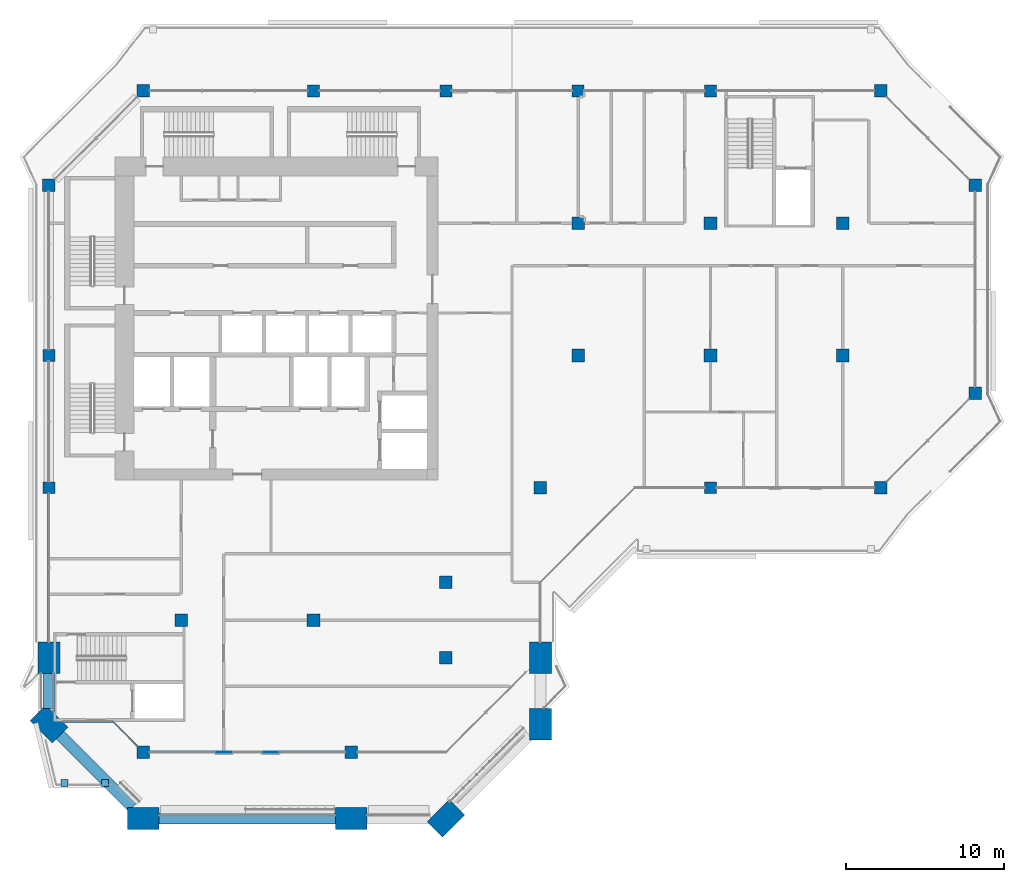
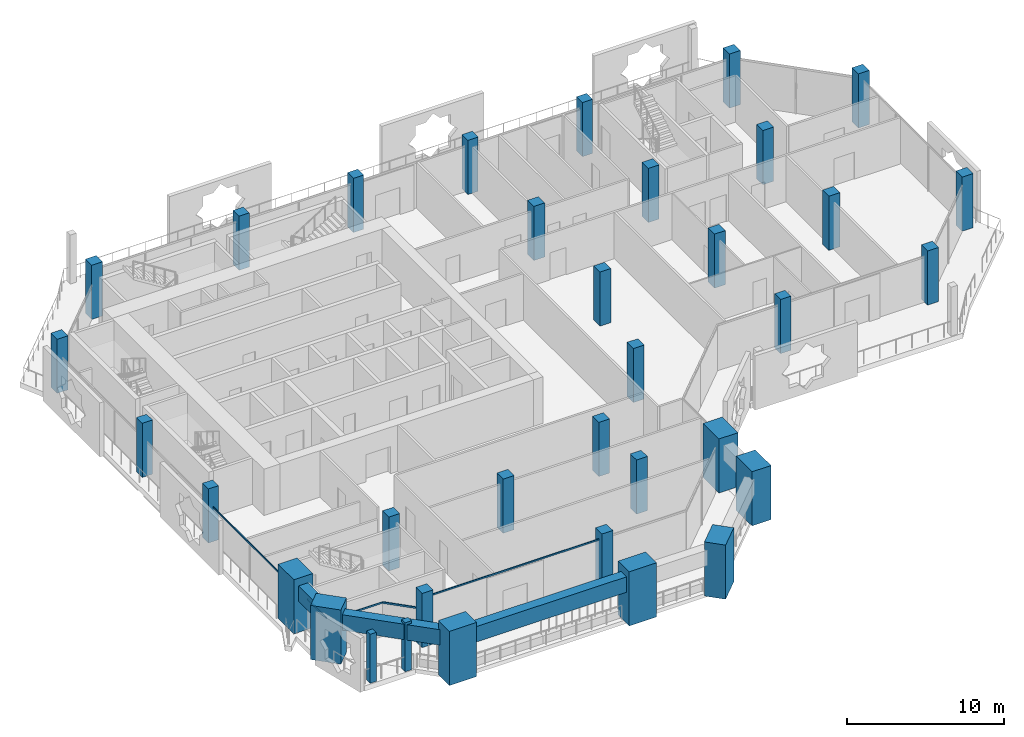
# One storey, part 1 of 20: 33 columns, 7 members, 3 beams, 6 elements without a shape of their own.
"""IFC4 building model written with IfcOpenShell, lengths in metres."""

from ifc_helpers import new_model, si_unit, direction, frame, origin, origin_2d, place, context, subcontext, project, spatial, rectangle, extrude, material, layer, layer_set, material_profile, profile_set, type_object, element, aggregate, save


model = new_model("IFC4")

# Units and contexts
model_context = context("Model", 3, precision=1e-05, world=origin(), true_north=direction((0.0, 1.0)))
body_context = subcontext(model_context, "Body", "Model", "MODEL_VIEW")
ifc_project = project(units=[si_unit("LENGTHUNIT", "METRE"), si_unit("AREAUNIT", "SQUARE_METRE"), si_unit("VOLUMEUNIT", "CUBIC_METRE"), si_unit("PLANEANGLEUNIT", "RADIAN"), si_unit("MASSUNIT", "GRAM", prefix="KILO")], contexts=[model_context])

# Site, building, storey
site_placement = place(None, origin())
site = spatial("IfcSite", under=ifc_project, at=site_placement, CompositionType="ELEMENT")
building_placement = place(site_placement, origin())
building = spatial("IfcBuilding", under=site, at=building_placement, Name="Kawkab Arch Medical Tower", CompositionType="ELEMENT")
storey_placement = place(building_placement, frame((0.0, 0.0, 290.199951171875)))
storey = spatial("IfcBuildingStorey", under=building, at=storey_placement, Name="L67", CompositionType="ELEMENT", Elevation=290.199951171875)

# Columns
ifc_material_1 = material(Name="Concrete C40/50", Category="concrete")
ifc_material_profile_1 = material_profile(ifc_material_1, rectangle(XDim=2.0, YDim=1.39990234375, at=origin_2d()), Name="RC 2000x1400")
ifc_profile_set_1 = profile_set([ifc_material_profile_1], Name="Concrete C40/50")
column_type_1 = type_object("IfcColumnType", Name="RC 2000x1400 column C40/50", PredefinedType="COLUMN", material=ifc_profile_set_1)
for number, where, z_axis, x_axis, name in (
    (1, (0.0, -36.0, 0.0), (0.0, 0.0, 1.0), (0.0, 1.0, 0.0), "Column RC 2000x1400"),
    (2, (31.199951171875, -36.0, 0.0), (0.0, 0.0, 1.0), (0.0, -1.0, 0.0), "Column RC 2000x1400"),
    (3, (31.199951171875, -40.199951171875, 0.0), (0.0, 0.0, 1.0), (0.0, -1.0, 0.0), "Column RC 2000x1400"),
    (4, (25.199951171875, -46.199951171875, 0.0), (0.0, 0.0, 1.0), (-0.707106781187, -0.707106781187, 0.0), "Column RC 2000x1400"),
    (5, (19.199951171875, -46.199951171875, 0.0), (0.0, 0.0, 1.0), (-1.0, 0.0, 0.0), "Column RC 2000x1400"),
    (6, (6.0, -46.199951171875, 0.0), (0.0, 0.0, 1.0), (-1.0, 0.0, 0.0), "Column RC 2000x1400"),
    (7, (0.0, -40.199951171875, 0.0), (0.0, 0.0, 1.0), (-0.707106781187, 0.707106781187, 0.0), "Column RC 2000x1400"),
):
    element("IfcColumn", number, at=place(storey_placement, frame(where, z_axis=z_axis, x_axis=x_axis)), inside=storey, type_object=column_type_1, Name=name, PredefinedType="COLUMN", context=body_context, shape_type="SweptSolid", body=[
        extrude(rectangle(XDim=2.0, YDim=1.39990234375, at=origin_2d()), origin(), (0.0, 0.0, 1.0), 4.199951171875),
    ])
ifc_material_2 = material(Name="Concrete C40/50", Category="concrete")
ifc_material_profile_2 = material_profile(ifc_material_2, rectangle(XDim=0.75, YDim=0.75, at=origin_2d()), Name="RC 750x750")
ifc_profile_set_2 = profile_set([ifc_material_profile_2], Name="Concrete C40/50")
column_type_2 = type_object("IfcColumnType", Name="RC 750x750 column C40/50", PredefinedType="COLUMN", material=ifc_profile_set_2)
for number, where, z_axis, x_axis, name in (
    (8, (16.800048828125, 0.0, 0.0), (0.0, 0.0, 1.0), (1.0, 0.0, 0.0), "Column RC 750x750"),
    (9, (25.199951171875, 0.0, 0.0), (0.0, 0.0, 1.0), (1.0, 0.0, 0.0), "Column RC 750x750"),
    (10, (33.60009765625, 0.0, 0.0), (0.0, 0.0, 1.0), (1.0, 0.0, 0.0), "Column RC 750x750"),
    (11, (42.0, 0.0, 0.0), (0.0, 0.0, 1.0), (1.0, 0.0, 0.0), "Column RC 750x750"),
    (12, (0.0, -16.800048828125, 0.0), (0.0, 0.0, 1.0), (1.0, 0.0, 0.0), "Column RC 750x750"),
    (13, (0.0, -25.199951171875, 0.0), (0.0, 0.0, 1.0), (1.0, 0.0, 0.0), "Column RC 750x750"),
    (14, (42.0, -25.199951171875, 0.0), (0.0, 0.0, 1.0), (1.0, 0.0, 0.0), "Column RC 750x750"),
):
    element("IfcColumn", number, at=place(storey_placement, frame(where, z_axis=z_axis, x_axis=x_axis)), inside=storey, type_object=column_type_2, Name=name, PredefinedType="COLUMN", context=body_context, shape_type="SweptSolid", body=[
        extrude(rectangle(XDim=0.75, YDim=0.75, at=origin_2d()), origin(), (0.0, 0.0, 1.0), 4.199951171875),
    ])
ifc_material_3 = material(Name="Concrete C40/50", Category="concrete")
ifc_material_profile_3 = material_profile(ifc_material_3, rectangle(XDim=0.800048828125, YDim=0.800048828125, at=origin_2d()), Name="RC 800x800")
ifc_profile_set_3 = profile_set([ifc_material_profile_3], Name="Concrete C40/50")
column_type_3 = type_object("IfcColumnType", Name="RC 800x800 column C40/50", PredefinedType="COLUMN", material=ifc_profile_set_3)
for number, where, z_axis, x_axis, name in (
    (15, (6.0, 0.0, 0.0), (0.0, 0.0, 1.0), (1.0, 0.0, 0.0), "Column RC 800x800"),
    (16, (52.800048828125, 0.0, 0.0), (0.0, 0.0, 1.0), (1.0, 0.0, 0.0), "Column RC 800x800"),
    (17, (0.0, -6.0, 0.0), (0.0, 0.0, 1.0), (1.0, 0.0, 0.0), "Column RC 800x800"),
    (18, (58.800048828125, -6.0, 0.0), (0.0, 0.0, 1.0), (1.0, 0.0, 0.0), "Column RC 800x800"),
    (19, (33.60009765625, -8.39990234375, 0.0), (0.0, 0.0, 1.0), (1.0, 0.0, 0.0), "Column RC 800x800"),
    (20, (42.0, -8.39990234375, 0.0), (0.0, 0.0, 1.0), (1.0, 0.0, 0.0), "Column RC 800x800"),
    (21, (50.39990234375, -8.39990234375, 0.0), (0.0, 0.0, 1.0), (1.0, 0.0, 0.0), "Column RC 800x800"),
    (22, (33.60009765625, -16.800048828125, 0.0), (0.0, 0.0, 1.0), (1.0, 0.0, 0.0), "Column RC 800x800"),
    (23, (42.0, -16.800048828125, 0.0), (0.0, 0.0, 1.0), (1.0, 0.0, 0.0), "Column RC 800x800"),
    (24, (50.39990234375, -16.800048828125, 0.0), (0.0, 0.0, 1.0), (1.0, 0.0, 0.0), "Column RC 800x800"),
    (25, (58.800048828125, -19.199951171875, 0.0), (0.0, 0.0, 1.0), (1.0, 0.0, 0.0), "Column RC 800x800"),
    (26, (31.199951171875, -25.199951171875, 0.0), (0.0, 0.0, 1.0), (1.0, 0.0, 0.0), "Column RC 800x800"),
    (27, (52.800048828125, -25.199951171875, 0.0), (0.0, 0.0, 1.0), (1.0, 0.0, 0.0), "Column RC 800x800"),
    (28, (25.199951171875, -31.199951171875, 0.0), (0.0, 0.0, 1.0), (1.0, 0.0, 0.0), "Column RC 800x800"),
    (29, (8.39990234375, -33.60009765625, 0.0), (0.0, 0.0, 1.0), (1.0, 0.0, 0.0), "Column RC 800x800"),
    (30, (16.800048828125, -33.60009765625, 0.0), (0.0, 0.0, 1.0), (1.0, 0.0, 0.0), "Column RC 800x800"),
    (31, (25.199951171875, -36.0, 0.0), (0.0, 0.0, 1.0), (1.0, 0.0, 0.0), "Column RC 800x800"),
    (32, (6.0, -42.0, 0.0), (0.0, 0.0, 1.0), (1.0, 0.0, 0.0), "Column RC 800x800"),
    (33, (19.199951171875, -42.0, 0.0), (0.0, 0.0, 1.0), (1.0, 0.0, 0.0), "Column RC 800x800"),
):
    element("IfcColumn", number, at=place(storey_placement, frame(where, z_axis=z_axis, x_axis=x_axis)), inside=storey, type_object=column_type_3, Name=name, PredefinedType="COLUMN", context=body_context, shape_type="SweptSolid", body=[
        extrude(rectangle(XDim=0.800048828125, YDim=0.800048828125, at=origin_2d()), origin(), (0.0, 0.0, 1.0), 4.199951171875),
    ])

# Curtain wall, member
ifc_material_4 = material(Name="Bronze anodised aluminium curtain wall frame", Category="aluminium")
ifc_layer_1 = layer(ifc_material_4, 0.159912109375)
ifc_layer_set_1 = layer_set([ifc_layer_1], Name="Bronze anodised aluminium curtain wall frame")
curtain_wall_type_1 = type_object("IfcCurtainWallType", Name="CW1 ward curtain wall", PredefinedType="NOTDEFINED", material=ifc_layer_set_1)
placement = place(storey_placement, origin())
curtain_wall_1 = element("IfcCurtainWall", 34, at=placement, inside=storey, type_object=curtain_wall_type_1, Name="CW1 Ward curtain wall R02", PredefinedType="NOTDEFINED")
ifc_material_5 = material(Name="Bronze anodised aluminium curtain wall frame", Category="aluminium")
ifc_material_profile_4 = material_profile(ifc_material_5, rectangle(XDim=0.06005859375, YDim=0.1201171875, at=origin_2d()), Name="AL 60x120")
ifc_profile_set_4 = profile_set([ifc_material_profile_4], Name="Bronze anodised aluminium curtain wall frame")
member_type_1 = type_object("IfcMemberType", Name="CW1 transom 120 x 60", PredefinedType="USERDEFINED", material=ifc_profile_set_4)
member_1_placement = place(storey_placement, frame((0.0, -25.574951171875, 2.64013671875), z_axis=(0.0, -1.0, 0.0), x_axis=(1.0, 0.0, 0.0)))
member_1 = element("IfcMember", 35, at=member_1_placement, type_object=member_type_1, Name="CW1 transom 3", ObjectType="TRANSOM", PredefinedType="USERDEFINED", context=body_context, shape_type="SweptSolid", body=[
    extrude(rectangle(XDim=0.06005859375, YDim=0.1201171875, at=origin_2d()), origin(), (0.0, 0.0, 1.0), 9.425048828125),
])
aggregate(curtain_wall_1, [member_1])

curtain_wall_2 = element("IfcCurtainWall", 36, at=placement, inside=storey, type_object=curtain_wall_type_1, Name="CW1 Ward curtain wall R04", PredefinedType="NOTDEFINED")
member_2_placement = place(storey_placement, frame((0.300048828125, -37.0, 2.340087890625), z_axis=(0.0, -1.0, 0.0), x_axis=(1.0, 0.0, 0.0)))
member_2 = element("IfcMember", 37, at=member_2_placement, type_object=member_type_1, Name="CW1 transom 1", ObjectType="TRANSOM", PredefinedType="USERDEFINED", context=body_context, shape_type="SweptSolid", body=[
    extrude(rectangle(XDim=0.06005859375, YDim=0.1201171875, at=origin_2d()), origin(), (0.0, 0.0, 1.0), 2.41015625),
])
aggregate(curtain_wall_2, [member_2])

curtain_wall_3 = element("IfcCurtainWall", 38, at=placement, inside=storey, type_object=curtain_wall_type_1, Name="CW1 Ward curtain wall R05", PredefinedType="NOTDEFINED")
member_3_placement = place(storey_placement, frame((0.93994140625, -40.050048828125, 2.64013671875), z_axis=(1.0, 0.0, 0.0), x_axis=(0.0, 1.0, 0.0)))
member_3 = element("IfcMember", 39, at=member_3_placement, type_object=member_type_1, Name="CW1 transom 1", ObjectType="TRANSOM", PredefinedType="USERDEFINED", context=body_context, shape_type="SweptSolid", body=[
    extrude(rectangle(XDim=0.06005859375, YDim=0.1201171875, at=origin_2d()), origin(), (0.0, 0.0, 1.0), 3.110107421875),
])
aggregate(curtain_wall_3, [member_3])

curtain_wall_4 = element("IfcCurtainWall", 40, at=placement, inside=storey, type_object=curtain_wall_type_1, Name="CW1 Ward curtain wall R07", PredefinedType="NOTDEFINED")
member_4_placement = place(storey_placement, frame((6.39990234375, -42.0, 3.5400390625), z_axis=(1.0, 0.0, 0.0), x_axis=(0.0, 1.0, 0.0)))
member_4 = element("IfcMember", 41, at=member_4_placement, type_object=member_type_1, Name="CW1 transom 1", ObjectType="TRANSOM", PredefinedType="USERDEFINED", context=body_context, shape_type="SweptSolid", body=[
    extrude(rectangle(XDim=0.06005859375, YDim=0.1201171875, at=origin_2d()), origin(), (0.0, 0.0, 1.0), 12.400146484375),
])
aggregate(curtain_wall_4, [member_4])

ifc_material_6 = material(Name="Bronze anodised aluminium curtain wall frame", Category="aluminium")
ifc_layer_2 = layer(ifc_material_6, 0.159912109375)
ifc_layer_set_2 = layer_set([ifc_layer_2], Name="Bronze anodised aluminium curtain wall frame")
curtain_wall_type_2 = type_object("IfcCurtainWallType", Name="CW2 chamfer curtain wall", PredefinedType="NOTDEFINED", material=ifc_layer_set_2)
curtain_wall_5 = element("IfcCurtainWall", 42, at=placement, inside=storey, type_object=curtain_wall_type_2, Name="CW2 Chamfer curtain wall R06", PredefinedType="NOTDEFINED")
ifc_material_7 = material(Name="Bronze anodised aluminium curtain wall frame", Category="aluminium")
ifc_material_profile_5 = material_profile(ifc_material_7, rectangle(XDim=0.06005859375, YDim=0.139892578125, at=origin_2d()), Name="AL 60x140")
ifc_profile_set_5 = profile_set([ifc_material_profile_5], Name="Bronze anodised aluminium curtain wall frame")
member_type_2 = type_object("IfcMemberType", Name="CW2 transom 140 x 60", PredefinedType="USERDEFINED", material=ifc_profile_set_5)
member_5_placement = place(storey_placement, frame((4.050048828125, -40.050048828125, 2.630126953125), z_axis=(0.707106781187, -0.707106781187, 0.0), x_axis=(0.707106781187, 0.707106781187, 0.0)))
member_5 = element("IfcMember", 43, at=member_5_placement, type_object=member_type_2, Name="CW2 transom 1", ObjectType="TRANSOM", PredefinedType="USERDEFINED", context=body_context, shape_type="SweptSolid", body=[
    extrude(rectangle(XDim=0.06005859375, YDim=0.139892578125, at=origin_2d()), origin(), (0.0, 0.0, 1.0), 2.192138671875),
])
aggregate(curtain_wall_5, [member_5])

# Curtain wall, members
ifc_material_8 = material(Name="Bronze anodised aluminium climber frame, planted", Category="aluminium")
ifc_layer_3 = layer(ifc_material_8, 0.449951171875)
ifc_layer_set_3 = layer_set([ifc_layer_3], Name="Bronze anodised aluminium climber frame, planted")
curtain_wall_type_3 = type_object("IfcCurtainWallType", Name="Planted climber frame", PredefinedType="NOTDEFINED", material=ifc_layer_set_3)
curtain_wall_6 = element("IfcCurtainWall", 44, at=placement, inside=storey, type_object=curtain_wall_type_3, Name="Planted climber frame L67", PredefinedType="NOTDEFINED")
ifc_material_9 = material(Name="Bronze anodised aluminium climber frame, planted", Category="aluminium")
ifc_material_profile_6 = material_profile(ifc_material_9, rectangle(XDim=0.449951171875, YDim=0.449951171875, at=origin_2d()), Name="Post 450x450")
ifc_profile_set_6 = profile_set([ifc_material_profile_6], Name="Bronze anodised aluminium climber frame, planted")
member_type_3 = type_object("IfcMemberType", Name="Planted climber post 450 x 450", PredefinedType="MULLION", material=ifc_profile_set_6)
member_6_placement = place(storey_placement, frame((3.55810546875, -43.949951171875, 0.0), z_axis=(0.0, 0.0, 1.0), x_axis=(1.0, 0.0, 0.0)))
member_6 = element("IfcMember", 45, at=member_6_placement, type_object=member_type_3, Name="Planted climber post L67.LOG-01-01.1", PredefinedType="MULLION", context=body_context, shape_type="SweptSolid", body=[
    extrude(rectangle(XDim=0.449951171875, YDim=0.449951171875, at=origin_2d()), origin(), (0.0, 0.0, 1.0), 3.800048828125),
])
member_7_placement = place(storey_placement, frame((0.987060546875, -43.949951171875, 0.0), z_axis=(0.0, 0.0, 1.0), x_axis=(1.0, 0.0, 0.0)))
member_7 = element("IfcMember", 46, at=member_7_placement, type_object=member_type_3, Name="Planted climber post L67.LOG-01-01.2", PredefinedType="MULLION", context=body_context, shape_type="SweptSolid", body=[
    extrude(rectangle(XDim=0.449951171875, YDim=0.449951171875, at=origin_2d()), origin(), (0.0, 0.0, 1.0), 3.800048828125),
])
aggregate(curtain_wall_6, [member_6, member_7])

# Beams
ifc_material_10 = material(Name="Concrete C40/50", Category="concrete")
ifc_material_profile_7 = material_profile(ifc_material_10, rectangle(XDim=0.699951171875, YDim=1.199951171875, at=origin_2d()), Name="RC 700x1200")
ifc_profile_set_7 = profile_set([ifc_material_profile_7], Name="Concrete C40/50")
beam_type = type_object("IfcBeamType", Name="RC 700x1200 beam C40/50", PredefinedType="BEAM", material=ifc_profile_set_7)
beam_1_placement = place(storey_placement, frame((18.199951171875, -46.199951171875, 3.0), z_axis=(-1.0, 0.0, 0.0), x_axis=(0.0, -1.0, 0.0)))
element("IfcBeam", 47, at=beam_1_placement, inside=storey, type_object=beam_type, Name="Terrace frame beam TF-L67-1-L68-04", PredefinedType="BEAM", context=body_context, shape_type="SweptSolid", body=[
    extrude(rectangle(XDim=0.699951171875, YDim=1.199951171875, at=origin_2d()), origin(), (0.0, 0.0, 1.0), 11.199951171875),
])
beam_2_placement = place(storey_placement, frame((5.300048828125, -45.5, 3.0), z_axis=(-0.707106781187, 0.707106781187, 0.0), x_axis=(-0.707106781187, -0.707106781187, 0.0)))
element("IfcBeam", 48, at=beam_2_placement, inside=storey, type_object=beam_type, Name="Terrace frame beam TF-L67-1-L68-05", PredefinedType="BEAM", context=body_context, shape_type="SweptSolid", body=[
    extrude(rectangle(XDim=0.699951171875, YDim=1.199951171875, at=origin_2d()), origin(), (0.0, 0.0, 1.0), 6.49560546875),
])
beam_3_placement = place(storey_placement, frame((0.0, -39.210205078125, 3.0), z_axis=(0.0, 1.0, 0.0), x_axis=(-1.0, 0.0, 0.0)))
element("IfcBeam", 49, at=beam_3_placement, inside=storey, type_object=beam_type, Name="Terrace frame beam TF-L67-1-L68-06", PredefinedType="BEAM", context=body_context, shape_type="SweptSolid", body=[
    extrude(rectangle(XDim=0.699951171875, YDim=1.199951171875, at=origin_2d()), origin(), (0.0, 0.0, 1.0), 2.210205078125),
])

save(model, "model.ifc")
